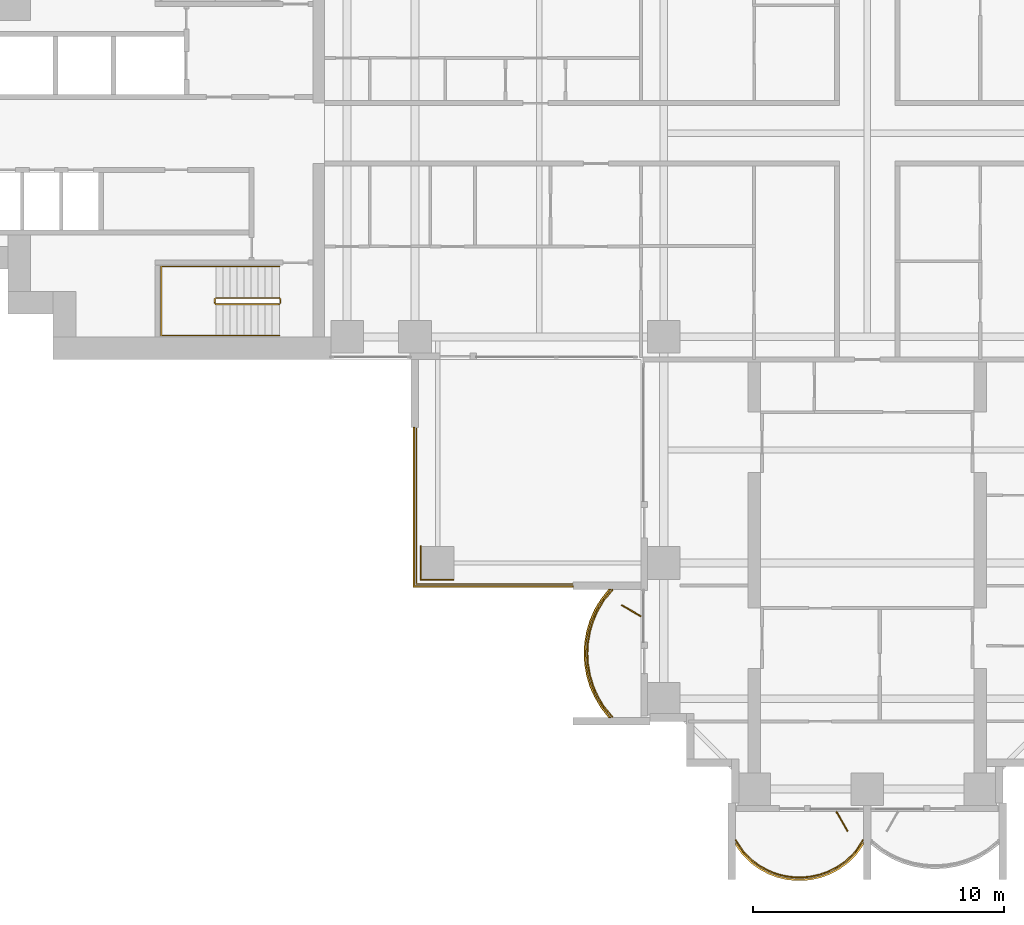
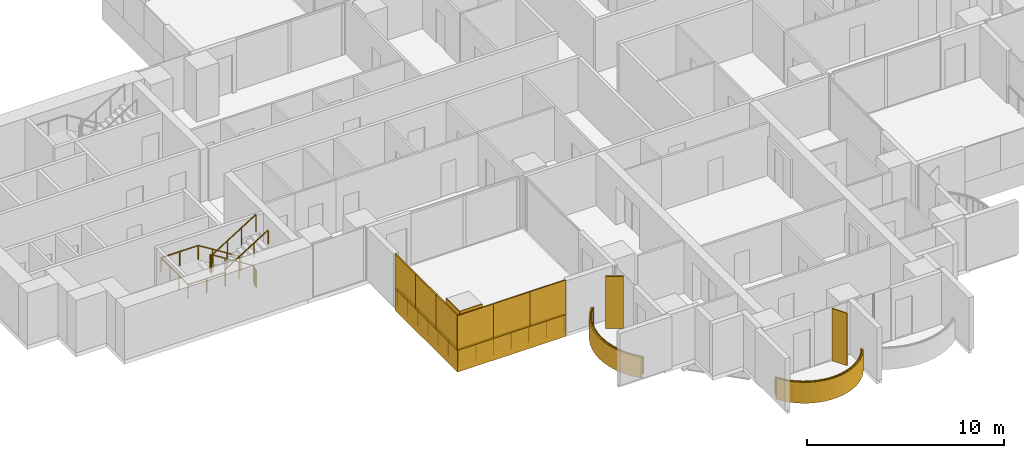
# One storey, part 17 of 21: 11 coverings, 5 railings, 2 shading devices.
"""IFC4 building model written with IfcOpenShell, lengths in metres."""

from ifc_helpers import new_model, si_unit, direction, frame, origin, origin_2d, place, context, subcontext, project, spatial, polyline, rectangle, outline, extrude, material, layer, layer_set, type_object, element, save


model = new_model("IFC4")

# Units and contexts
model_context = context("Model", 3, precision=1e-05, world=origin(), true_north=direction((0.0, 1.0)))
body_context = subcontext(model_context, "Body", "Model", "MODEL_VIEW")
ifc_project = project(units=[si_unit("LENGTHUNIT", "METRE"), si_unit("AREAUNIT", "SQUARE_METRE"), si_unit("VOLUMEUNIT", "CUBIC_METRE"), si_unit("PLANEANGLEUNIT", "RADIAN"), si_unit("MASSUNIT", "GRAM", prefix="KILO")], contexts=[model_context])

# Site, building, storey
site_placement = place(None, origin())
site = spatial("IfcSite", under=ifc_project, at=site_placement, CompositionType="ELEMENT")
building_placement = place(site_placement, origin())
building = spatial("IfcBuilding", under=site, at=building_placement, Name="Perihelion Cross Residences", CompositionType="ELEMENT")
storey_placement = place(building_placement, frame((0.0, 0.0, 47.0)))
storey = spatial("IfcBuildingStorey", under=building, at=storey_placement, Name="L08", CompositionType="ELEMENT", Elevation=47.0)

# Coverings
ifc_material_1 = material(Name="Bronze anodised aluminium", Category="aluminium")
ifc_layer_1 = layer(ifc_material_1, 0.070068359375)
ifc_layer_set_1 = layer_set([ifc_layer_1], Name="Balcony fascia 1300")
covering_type_1 = type_object("IfcCoveringType", Name="Balcony fascia 1300", PredefinedType="CLADDING", material=ifc_layer_set_1)
covering_1_placement = place(storey_placement, frame((0.0, 0.0, -0.199951171875)))
element("IfcCovering", 1, at=covering_1_placement, inside=storey, type_object=covering_type_1, Name="Fascia BF1 L08 south side west bay 2", PredefinedType="CLADDING", context=body_context, shape_type="SweptSolid", body=[
    extrude(outline(polyline([(-10.59765625, -18.53515625), (-10.85498046875, -18.96826171875), (-11.04248046875, -19.401123046875), (-11.170654296875, -19.833984375), (-11.245361328125, -20.26708984375), (-11.27001953125, -20.699951171875), (-11.245361328125, -21.133056640625), (-11.170654296875, -21.56591796875), (-11.04248046875, -21.998779296875), (-10.85498046875, -22.431884765625), (-10.59765625, -22.86474609375), (-10.28955078125, -23.25), (-10.199951171875, -23.25), (-10.5400390625, -22.824951171875), (-10.792724609375, -22.39990234375), (-10.9765625, -21.97509765625), (-11.1025390625, -21.550048828125), (-11.17578125, -21.125), (-11.199951171875, -20.699951171875), (-11.17578125, -20.27490234375), (-11.1025390625, -19.85009765625), (-10.9765625, -19.425048828125), (-10.792724609375, -19.0), (-10.5400390625, -18.574951171875), (-10.199951171875, -18.14990234375), (-10.28955078125, -18.14990234375), (-10.59765625, -18.53515625)])), origin(), (0.0, 0.0, 1.0), 1.300048828125),
])
covering_2_placement = place(storey_placement, frame((0.0, 0.0, -0.199951171875)))
element("IfcCovering", 2, at=covering_2_placement, inside=storey, type_object=covering_type_1, Name="Fascia BF1 L08 south tip south bay 1", PredefinedType="CLADDING", context=body_context, shape_type="SweptSolid", body=[
    extrude(outline(polyline([(-4.963134765625, -28.722412109375), (-4.61474609375, -29.060791015625), (-4.2666015625, -29.308837890625), (-3.91845703125, -29.4912109375), (-3.5703125, -29.620361328125), (-3.22216796875, -29.703369140625), (-2.8740234375, -29.743896484375), (-2.52587890625, -29.743896484375), (-2.177734375, -29.703369140625), (-1.82958984375, -29.620361328125), (-1.4814453125, -29.4912109375), (-1.13330078125, -29.308837890625), (-0.78515625, -29.060791015625), (-0.43701171875, -28.722412109375), (-0.14990234375, -28.320556640625), (-0.14990234375, -28.199951171875), (-0.489990234375, -28.6767578125), (-0.830078125, -29.007080078125), (-1.169921875, -29.2490234375), (-1.510009765625, -29.42724609375), (-1.85009765625, -29.553466796875), (-2.18994140625, -29.63427734375), (-2.530029296875, -29.674072265625), (-2.8701171875, -29.674072265625), (-3.2099609375, -29.63427734375), (-3.550048828125, -29.553466796875), (-3.889892578125, -29.42724609375), (-4.22998046875, -29.2490234375), (-4.570068359375, -29.007080078125), (-4.909912109375, -28.6767578125), (-5.25, -28.199951171875), (-5.25, -28.320556640625), (-4.963134765625, -28.722412109375)])), origin(), (0.0, 0.0, 1.0), 1.300048828125),
])

# Railings
ifc_material_2 = material(Name="Bronze anodised aluminium", Category="aluminium")
railing_type_1 = type_object("IfcRailingType", Name="Balcony guard 1100", PredefinedType="GUARDRAIL", material=ifc_material_2)
railing_1_placement = place(storey_placement, frame((-10.139892578125, -18.175048828125, 0.0)))
element("IfcRailing", 3, at=railing_1_placement, inside=storey, type_object=railing_type_1, Name="Guard GU1 L08 south side west bay 2 balcony", PredefinedType="GUARDRAIL", context=body_context, shape_type="SweptSolid", body=[
    extrude(rectangle(XDim=0.048095703125, YDim=0.048095703125, at=origin_2d()), frame((0.0, 0.0, 1.076171875), z_axis=(-0.647837396648, -0.761778647315, 0.0), x_axis=(0.761778647315, -0.647837396648, 0.0)), (0.0, 0.0, 1.0), 0.52490234375),
    extrude(rectangle(XDim=0.048095703125, YDim=0.048095703125, at=origin_2d()), frame((-0.340087890625, -0.39990234375, 1.076171875), z_axis=(-0.511006381501, -0.859576918062, 0.0), x_axis=(0.859576918062, -0.511006381501, 0.0)), (0.0, 0.0, 1.0), 0.494384765625),
    extrude(rectangle(XDim=0.048095703125, YDim=0.048095703125, at=origin_2d()), frame((-0.5927734375, -0.824951171875, 1.076171875), z_axis=(-0.397415137459, -0.917638931453, 0.0), x_axis=(0.917638931453, -0.397415137459, 0.0)), (0.0, 0.0, 1.0), 0.463134765625),
    extrude(rectangle(XDim=0.048095703125, YDim=0.048095703125, at=origin_2d()), frame((-0.77685546875, -1.25, 1.076171875), z_axis=(-0.283656975924, -0.958925815697, 0.0), x_axis=(0.958925815697, -0.283656975924, 0.0)), (0.0, 0.0, 1.0), 0.443359375),
    extrude(rectangle(XDim=0.048095703125, YDim=0.048095703125, at=origin_2d()), frame((-0.902587890625, -1.675048828125, 1.076171875), z_axis=(-0.170456843651, -0.985365142702, 0.0), x_axis=(0.985365142702, -0.170456843651, 0.0)), (0.0, 0.0, 1.0), 0.43115234375),
    extrude(rectangle(XDim=0.048095703125, YDim=0.048095703125, at=origin_2d()), frame((-0.97607421875, -2.099853515625, 1.076171875), z_axis=(-0.056200523353, -0.9984195016, 0.0), x_axis=(0.9984195016, -0.056200523353, 0.0)), (0.0, 0.0, 1.0), 0.42578125),
    extrude(rectangle(XDim=0.048095703125, YDim=0.048095703125, at=origin_2d()), frame((-1.0, -2.52490234375, 1.076171875), z_axis=(0.056200523353, -0.9984195016, 0.0), x_axis=(0.9984195016, 0.056200523353, 0.0)), (0.0, 0.0, 1.0), 0.42578125),
    extrude(rectangle(XDim=0.048095703125, YDim=0.048095703125, at=origin_2d()), frame((-0.97607421875, -2.949951171875, 1.076171875), z_axis=(0.17036177859, -0.985381583142, 0.0), x_axis=(0.985381583142, 0.17036177859, 0.0)), (0.0, 0.0, 1.0), 0.431396484375),
    extrude(rectangle(XDim=0.048095703125, YDim=0.048095703125, at=origin_2d()), frame((-0.902587890625, -3.375, 1.076171875), z_axis=(0.283656975924, -0.958925815697, 0.0), x_axis=(0.958925815697, 0.283656975924, 0.0)), (0.0, 0.0, 1.0), 0.443359375),
    extrude(rectangle(XDim=0.048095703125, YDim=0.048095703125, at=origin_2d()), frame((-0.77685546875, -3.800048828125, 1.076171875), z_axis=(0.397607437634, -0.91755562531, 0.0), x_axis=(0.91755562531, 0.397607437634, 0.0)), (0.0, 0.0, 1.0), 0.462890625),
    extrude(rectangle(XDim=0.048095703125, YDim=0.048095703125, at=origin_2d()), frame((-0.5927734375, -4.224853515625, 1.076171875), z_axis=(0.511006381501, -0.859576918062, 0.0), x_axis=(0.859576918062, 0.511006381501, 0.0)), (0.0, 0.0, 1.0), 0.494384765625),
    extrude(rectangle(XDim=0.048095703125, YDim=0.048095703125, at=origin_2d()), frame((-0.340087890625, -4.64990234375, 1.076171875), z_axis=(0.647607934281, -0.761973728849, 0.0), x_axis=(0.761973728849, 0.647607934281, 0.0)), (0.0, 0.0, 1.0), 0.525146484375),
    extrude(rectangle(XDim=0.0419921875, YDim=0.0419921875, at=origin_2d()), origin(), (0.0, 0.0, 1.0), 1.052001953125),
    extrude(rectangle(XDim=0.0419921875, YDim=0.0419921875, at=origin_2d()), frame((-0.340087890625, -0.39990234375, 0.0)), (0.0, 0.0, 1.0), 1.052001953125),
    extrude(rectangle(XDim=0.0419921875, YDim=0.0419921875, at=origin_2d()), frame((-0.5927734375, -0.824951171875, 0.0)), (0.0, 0.0, 1.0), 1.052001953125),
    extrude(rectangle(XDim=0.0419921875, YDim=0.0419921875, at=origin_2d()), frame((-0.77685546875, -1.25, 0.0)), (0.0, 0.0, 1.0), 1.052001953125),
    extrude(rectangle(XDim=0.0419921875, YDim=0.0419921875, at=origin_2d()), frame((-0.902587890625, -1.675048828125, 0.0)), (0.0, 0.0, 1.0), 1.052001953125),
    extrude(rectangle(XDim=0.0419921875, YDim=0.0419921875, at=origin_2d()), frame((-0.97607421875, -2.099853515625, 0.0)), (0.0, 0.0, 1.0), 1.052001953125),
    extrude(rectangle(XDim=0.0419921875, YDim=0.0419921875, at=origin_2d()), frame((-1.0, -2.52490234375, 0.0)), (0.0, 0.0, 1.0), 1.052001953125),
    extrude(rectangle(XDim=0.0419921875, YDim=0.0419921875, at=origin_2d()), frame((-0.97607421875, -2.949951171875, 0.0)), (0.0, 0.0, 1.0), 1.052001953125),
    extrude(rectangle(XDim=0.0419921875, YDim=0.0419921875, at=origin_2d()), frame((-0.902587890625, -3.375, 0.0)), (0.0, 0.0, 1.0), 1.052001953125),
    extrude(rectangle(XDim=0.0419921875, YDim=0.0419921875, at=origin_2d()), frame((-0.77685546875, -3.800048828125, 0.0)), (0.0, 0.0, 1.0), 1.052001953125),
    extrude(rectangle(XDim=0.0419921875, YDim=0.0419921875, at=origin_2d()), frame((-0.5927734375, -4.224853515625, 0.0)), (0.0, 0.0, 1.0), 1.052001953125),
    extrude(rectangle(XDim=0.0419921875, YDim=0.0419921875, at=origin_2d()), frame((-0.340087890625, -4.64990234375, 0.0)), (0.0, 0.0, 1.0), 1.052001953125),
    extrude(rectangle(XDim=0.0419921875, YDim=0.0419921875, at=origin_2d()), frame((0.0, -5.050048828125, 0.0)), (0.0, 0.0, 1.0), 1.052001953125),
])
railing_2_placement = place(storey_placement, frame((-5.22509765625, -28.139892578125, 0.0)))
element("IfcRailing", 4, at=railing_2_placement, inside=storey, type_object=railing_type_1, Name="Guard GU1 L08 south tip south bay 1 balcony", PredefinedType="GUARDRAIL", context=body_context, shape_type="SweptSolid", body=[
    extrude(rectangle(XDim=0.048095703125, YDim=0.048095703125, at=origin_2d()), frame((0.0, 0.0, 1.076171875), z_axis=(0.55144309028, -0.834212513801, 0.0), x_axis=(0.834212513801, 0.55144309028, 0.0)), (0.0, 0.0, 1.0), 0.571533203125),
    extrude(rectangle(XDim=0.048095703125, YDim=0.048095703125, at=origin_2d()), frame((0.315185546875, -0.476806640625, 1.076171875), z_axis=(0.717080736691, -0.696990112603, 0.0), x_axis=(0.696990112603, 0.717080736691, 0.0)), (0.0, 0.0, 1.0), 0.473876953125),
    extrude(rectangle(XDim=0.048095703125, YDim=0.048095703125, at=origin_2d()), frame((0.655029296875, -0.80712890625, 1.076171875), z_axis=(0.814562360662, -0.580075995532, 0.0), x_axis=(0.580075995532, 0.814562360662, 0.0)), (0.0, 0.0, 1.0), 0.41748046875),
    extrude(rectangle(XDim=0.048095703125, YDim=0.048095703125, at=origin_2d()), frame((0.9951171875, -1.04931640625, 1.076171875), z_axis=(0.886005761733, -0.463674228502, 0.0), x_axis=(0.463674228502, 0.886005761733, 0.0)), (0.0, 0.0, 1.0), 0.3837890625),
    extrude(rectangle(XDim=0.048095703125, YDim=0.048095703125, at=origin_2d()), frame((1.335205078125, -1.227294921875, 1.076171875), z_axis=(0.937431552165, -0.348169621027, 0.0), x_axis=(0.348169621027, 0.937431552165, 0.0)), (0.0, 0.0, 1.0), 0.362548828125),
    extrude(rectangle(XDim=0.048095703125, YDim=0.048095703125, at=origin_2d()), frame((1.675048828125, -1.353515625, 1.076171875), z_axis=(0.972753741142, -0.231840805498, 0.0), x_axis=(0.231840805498, 0.972753741142, 0.0)), (0.0, 0.0, 1.0), 0.349609375),
    extrude(rectangle(XDim=0.048095703125, YDim=0.048095703125, at=origin_2d()), frame((2.01513671875, -1.4345703125, 1.076171875), z_axis=(0.993295952156, -0.11559909788, 0.0), x_axis=(0.11559909788, 0.993295952156, 0.0)), (0.0, 0.0, 1.0), 0.342041015625),
    extrude(rectangle(XDim=0.048095703125, YDim=0.048095703125, at=origin_2d()), frame((2.35498046875, -1.47412109375, 1.076171875), z_axis=(1.0, 0.0, 0.0), x_axis=(0.0, 1.0, 0.0)), (0.0, 0.0, 1.0), 0.340087890625),
    extrude(rectangle(XDim=0.048095703125, YDim=0.048095703125, at=origin_2d()), frame((2.695068359375, -1.47412109375, 1.076171875), z_axis=(0.993305477634, 0.11551721994, 0.0), x_axis=(-0.11551721994, 0.993305477634, 0.0)), (0.0, 0.0, 1.0), 0.34228515625),
    extrude(rectangle(XDim=0.048095703125, YDim=0.048095703125, at=origin_2d()), frame((3.03515625, -1.4345703125, 1.076171875), z_axis=(0.972716168284, 0.231998396458, 0.0), x_axis=(-0.231998396458, 0.972716168284, 0.0)), (0.0, 0.0, 1.0), 0.349365234375),
    extrude(rectangle(XDim=0.048095703125, YDim=0.048095703125, at=origin_2d()), frame((3.375, -1.353515625, 1.076171875), z_axis=(0.93751311099, 0.347949948587, 0.0), x_axis=(-0.347949948587, 0.93751311099, 0.0)), (0.0, 0.0, 1.0), 0.36279296875),
    extrude(rectangle(XDim=0.048095703125, YDim=0.048095703125, at=origin_2d()), frame((3.715087890625, -1.227294921875, 1.076171875), z_axis=(0.886005761733, 0.463674228502, 0.0), x_axis=(-0.463674228502, 0.886005761733, 0.0)), (0.0, 0.0, 1.0), 0.3837890625),
    extrude(rectangle(XDim=0.048095703125, YDim=0.048095703125, at=origin_2d()), frame((4.05517578125, -1.04931640625, 1.076171875), z_axis=(0.814365457194, 0.580352394782, 0.0), x_axis=(-0.580352394782, 0.814365457194, 0.0)), (0.0, 0.0, 1.0), 0.417236328125),
    extrude(rectangle(XDim=0.048095703125, YDim=0.048095703125, at=origin_2d()), frame((4.39501953125, -0.80712890625, 1.076171875), z_axis=(0.717330852669, 0.69673269466, 0.0), x_axis=(-0.69673269466, 0.717330852669, 0.0)), (0.0, 0.0, 1.0), 0.47412109375),
    extrude(rectangle(XDim=0.048095703125, YDim=0.048095703125, at=origin_2d()), frame((4.735107421875, -0.476806640625, 1.076171875), z_axis=(0.551145731138, 0.834409002258, 0.0), x_axis=(-0.834409002258, 0.551145731138, 0.0)), (0.0, 0.0, 1.0), 0.571533203125),
    extrude(rectangle(XDim=0.0419921875, YDim=0.0419921875, at=origin_2d()), origin(), (0.0, 0.0, 1.0), 1.052001953125),
    extrude(rectangle(XDim=0.0419921875, YDim=0.0419921875, at=origin_2d()), frame((0.315185546875, -0.476806640625, 0.0)), (0.0, 0.0, 1.0), 1.052001953125),
    extrude(rectangle(XDim=0.0419921875, YDim=0.0419921875, at=origin_2d()), frame((0.655029296875, -0.80712890625, 0.0)), (0.0, 0.0, 1.0), 1.052001953125),
    extrude(rectangle(XDim=0.0419921875, YDim=0.0419921875, at=origin_2d()), frame((0.9951171875, -1.04931640625, 0.0)), (0.0, 0.0, 1.0), 1.052001953125),
    extrude(rectangle(XDim=0.0419921875, YDim=0.0419921875, at=origin_2d()), frame((1.335205078125, -1.227294921875, 0.0)), (0.0, 0.0, 1.0), 1.052001953125),
    extrude(rectangle(XDim=0.0419921875, YDim=0.0419921875, at=origin_2d()), frame((1.675048828125, -1.353515625, 0.0)), (0.0, 0.0, 1.0), 1.052001953125),
    extrude(rectangle(XDim=0.0419921875, YDim=0.0419921875, at=origin_2d()), frame((2.01513671875, -1.4345703125, 0.0)), (0.0, 0.0, 1.0), 1.052001953125),
    extrude(rectangle(XDim=0.0419921875, YDim=0.0419921875, at=origin_2d()), frame((2.35498046875, -1.47412109375, 0.0)), (0.0, 0.0, 1.0), 1.052001953125),
    extrude(rectangle(XDim=0.0419921875, YDim=0.0419921875, at=origin_2d()), frame((2.695068359375, -1.47412109375, 0.0)), (0.0, 0.0, 1.0), 1.052001953125),
    extrude(rectangle(XDim=0.0419921875, YDim=0.0419921875, at=origin_2d()), frame((3.03515625, -1.4345703125, 0.0)), (0.0, 0.0, 1.0), 1.052001953125),
    extrude(rectangle(XDim=0.0419921875, YDim=0.0419921875, at=origin_2d()), frame((3.375, -1.353515625, 0.0)), (0.0, 0.0, 1.0), 1.052001953125),
    extrude(rectangle(XDim=0.0419921875, YDim=0.0419921875, at=origin_2d()), frame((3.715087890625, -1.227294921875, 0.0)), (0.0, 0.0, 1.0), 1.052001953125),
    extrude(rectangle(XDim=0.0419921875, YDim=0.0419921875, at=origin_2d()), frame((4.05517578125, -1.04931640625, 0.0)), (0.0, 0.0, 1.0), 1.052001953125),
    extrude(rectangle(XDim=0.0419921875, YDim=0.0419921875, at=origin_2d()), frame((4.39501953125, -0.80712890625, 0.0)), (0.0, 0.0, 1.0), 1.052001953125),
    extrude(rectangle(XDim=0.0419921875, YDim=0.0419921875, at=origin_2d()), frame((4.735107421875, -0.476806640625, 0.0)), (0.0, 0.0, 1.0), 1.052001953125),
    extrude(rectangle(XDim=0.0419921875, YDim=0.0419921875, at=origin_2d()), frame((5.050048828125, 0.0, 0.0)), (0.0, 0.0, 1.0), 1.052001953125),
])
railing_3_placement = place(storey_placement, frame((-11.739990234375, -17.93994140625, 0.0)))
element("IfcRailing", 5, at=railing_3_placement, inside=storey, type_object=railing_type_1, Name="Guard GU1 L08 pocket south-west 1", PredefinedType="GUARDRAIL", context=body_context, shape_type="SweptSolid", body=[
    extrude(rectangle(XDim=0.048095703125, YDim=0.048095703125, at=origin_2d()), frame((0.0, 0.0, 1.076171875), z_axis=(-1.0, 0.0, 0.0), x_axis=(0.0, -1.0, 0.0)), (0.0, 0.0, 1.0), 6.199951171875),
    extrude(rectangle(XDim=0.048095703125, YDim=0.048095703125, at=origin_2d()), frame((-6.199951171875, 0.0, 1.076171875), z_axis=(0.0, 1.0, 0.0), x_axis=(-1.0, 0.0, 0.0)), (0.0, 0.0, 1.0), 6.199951171875),
    extrude(rectangle(XDim=0.0419921875, YDim=0.0419921875, at=origin_2d()), origin(), (0.0, 0.0, 1.0), 1.052001953125),
    extrude(rectangle(XDim=0.0419921875, YDim=0.0419921875, at=origin_2d()), frame((-1.033203125, 0.0, 0.0)), (0.0, 0.0, 1.0), 1.052001953125),
    extrude(rectangle(XDim=0.0419921875, YDim=0.0419921875, at=origin_2d()), frame((-2.066650390625, 0.0, 0.0)), (0.0, 0.0, 1.0), 1.052001953125),
    extrude(rectangle(XDim=0.0419921875, YDim=0.0419921875, at=origin_2d()), frame((-3.10009765625, 0.0, 0.0)), (0.0, 0.0, 1.0), 1.052001953125),
    extrude(rectangle(XDim=0.0419921875, YDim=0.0419921875, at=origin_2d()), frame((-4.13330078125, 0.0, 0.0)), (0.0, 0.0, 1.0), 1.052001953125),
    extrude(rectangle(XDim=0.0419921875, YDim=0.0419921875, at=origin_2d()), frame((-5.16650390625, 0.0, 0.0)), (0.0, 0.0, 1.0), 1.052001953125),
    extrude(rectangle(XDim=0.0419921875, YDim=0.0419921875, at=origin_2d()), frame((-6.199951171875, 0.0, 0.0)), (0.0, 0.0, 1.0), 1.052001953125),
    extrude(rectangle(XDim=0.0419921875, YDim=0.0419921875, at=origin_2d()), frame((-6.199951171875, 1.033203125, 0.0)), (0.0, 0.0, 1.0), 1.052001953125),
    extrude(rectangle(XDim=0.0419921875, YDim=0.0419921875, at=origin_2d()), frame((-6.199951171875, 2.066650390625, 0.0)), (0.0, 0.0, 1.0), 1.052001953125),
    extrude(rectangle(XDim=0.0419921875, YDim=0.0419921875, at=origin_2d()), frame((-6.199951171875, 3.10009765625, 0.0)), (0.0, 0.0, 1.0), 1.052001953125),
    extrude(rectangle(XDim=0.0419921875, YDim=0.0419921875, at=origin_2d()), frame((-6.199951171875, 4.13330078125, 0.0)), (0.0, 0.0, 1.0), 1.052001953125),
    extrude(rectangle(XDim=0.0419921875, YDim=0.0419921875, at=origin_2d()), frame((-6.199951171875, 5.16650390625, 0.0)), (0.0, 0.0, 1.0), 1.052001953125),
    extrude(rectangle(XDim=0.0419921875, YDim=0.0419921875, at=origin_2d()), frame((-6.199951171875, 6.199951171875, 0.0)), (0.0, 0.0, 1.0), 1.052001953125),
])

# Coverings
ifc_material_3 = material(Name="Bronze anodised aluminium", Category="aluminium")
ifc_layer_2 = layer(ifc_material_3, 0.0400390625)
ifc_layer_set_2 = layer_set([ifc_layer_2], Name="Bronze column casing 40")
covering_type_2 = type_object("IfcCoveringType", Name="Bronze column casing 40", PredefinedType="CLADDING", material=ifc_layer_set_2)
covering_3_placement = place(storey_placement, frame((-17.77001953125, -17.10009765625, -0.25), z_axis=(0.0, 0.0, 1.0), x_axis=(1.0, 0.0, 0.0)))
element("IfcCovering", 6, at=covering_3_placement, inside=storey, type_object=covering_type_2, Name="Cladding CC1 L08 casing east-west no. 1", PredefinedType="CLADDING", context=body_context, shape_type="SweptSolid", body=[
    extrude(rectangle(XDim=0.0400390625, YDim=1.3798828125, at=origin_2d()), origin(), (0.0, 0.0, 1.0), 3.5),
])
covering_4_placement = place(storey_placement, frame((-17.10009765625, -17.77001953125, -0.25), z_axis=(0.0, 0.0, 1.0), x_axis=(1.0, 0.0, 0.0)))
element("IfcCovering", 7, at=covering_4_placement, inside=storey, type_object=covering_type_2, Name="Cladding CC1 L08 casing north-south no. 1", PredefinedType="CLADDING", context=body_context, shape_type="SweptSolid", body=[
    extrude(rectangle(XDim=1.300048828125, YDim=0.0400390625, at=origin_2d()), origin(), (0.0, 0.0, 1.0), 3.5),
])

# Shading devices
ifc_material_4 = material(Name="Bronze anodised aluminium", Category="aluminium")
ifc_layer_3 = layer(ifc_material_4, 0.050048828125)
ifc_layer_set_3 = layer_set([ifc_layer_3], Name="Bronze fin 900")
shading_device_type = type_object("IfcShadingDeviceType", Name="Bronze fin 900", PredefinedType="USERDEFINED", material=ifc_layer_set_3)
for number, where, z_axis, x_axis, name in (
    (8, (-9.3896484375, -19.0, 0.0), (0.0, 0.0, 1.0), (-0.866025403784, 0.5, 0.0), "Fin FN1 L08 south side west bay 2"),
    (9, (-1.0, -27.3896484375, 0.0), (0.0, 0.0, 1.0), (0.5, -0.866025403784, 0.0), "Fin FN1 L08 south tip south bay 1"),
):
    element("IfcShadingDevice", number, at=place(storey_placement, frame(where, z_axis=z_axis, x_axis=x_axis)), inside=storey, type_object=shading_device_type, Name=name, ObjectType="FIN", PredefinedType="USERDEFINED", context=body_context, shape_type="SweptSolid", body=[
        extrude(rectangle(XDim=0.89990234375, YDim=0.050048828125, at=origin_2d()), origin(), (0.0, 0.0, 1.0), 3.25),
    ])

# Coverings
ifc_material_5 = material(Name="Bronze anodised aluminium", Category="aluminium")
ifc_layer_4 = layer(ifc_material_5, 0.070068359375)
ifc_layer_set_4 = layer_set([ifc_layer_4], Name="Pocket fascia 1350")
covering_type_3 = type_object("IfcCoveringType", Name="Pocket fascia 1350", PredefinedType="CLADDING", material=ifc_layer_set_4)
covering_5_placement = place(storey_placement, frame((0.0, 0.0, -0.25)))
element("IfcCovering", 10, at=covering_5_placement, inside=storey, type_object=covering_type_3, Name="Fascia BF2 L08 pocket south-west 1", PredefinedType="CLADDING", context=body_context, shape_type="SweptSolid", body=[
    extrude(outline(polyline([(-18.070068359375, -11.699951171875), (-18.070068359375, -18.070068359375), (-11.699951171875, -18.070068359375), (-11.699951171875, -18.0), (-18.0, -18.0), (-18.0, -11.699951171875), (-18.070068359375, -11.699951171875)])), origin(), (0.0, 0.0, 1.0), 1.35009765625),
])
ifc_material_6 = material(Name="Bronze perforated aluminium", Category="aluminium")
ifc_layer_5 = layer(ifc_material_6, 0.070068359375)
ifc_layer_set_5 = layer_set([ifc_layer_5], Name="Pocket solar screen, bronze perforated")
covering_type_4 = type_object("IfcCoveringType", Name="Pocket solar screen, bronze perforated", PredefinedType="CLADDING", material=ifc_layer_set_5)
covering_6_placement = place(storey_placement, frame((0.0, 0.0, 1.10009765625)))
element("IfcCovering", 11, at=covering_6_placement, inside=storey, type_object=covering_type_4, Name="Solar screen PS1 L08 pocket south-west no. 1", PredefinedType="CLADDING", context=body_context, shape_type="SweptSolid", body=[
    extrude(outline(polyline([(-18.0, -18.0), (-18.0, -15.89990234375), (-18.070068359375, -15.89990234375), (-18.070068359375, -18.0), (-18.0, -18.0)])), origin(), (0.0, 0.0, 1.0), 2.14990234375),
])
covering_7_placement = place(storey_placement, frame((0.0, 0.0, 1.10009765625)))
element("IfcCovering", 12, at=covering_7_placement, inside=storey, type_object=covering_type_4, Name="Solar screen PS1 L08 pocket south-west no. 2", PredefinedType="CLADDING", context=body_context, shape_type="SweptSolid", body=[
    extrude(outline(polyline([(-18.0, -15.89990234375), (-18.0, -13.800048828125), (-18.070068359375, -13.800048828125), (-18.070068359375, -15.89990234375), (-18.0, -15.89990234375)])), origin(), (0.0, 0.0, 1.0), 2.14990234375),
])
covering_8_placement = place(storey_placement, frame((0.0, 0.0, 1.10009765625)))
element("IfcCovering", 13, at=covering_8_placement, inside=storey, type_object=covering_type_4, Name="Solar screen PS1 L08 pocket south-west no. 3", PredefinedType="CLADDING", context=body_context, shape_type="SweptSolid", body=[
    extrude(outline(polyline([(-18.0, -13.800048828125), (-18.0, -11.699951171875), (-18.070068359375, -11.699951171875), (-18.070068359375, -13.800048828125), (-18.0, -13.800048828125)])), origin(), (0.0, 0.0, 1.0), 2.14990234375),
])
covering_9_placement = place(storey_placement, frame((0.0, 0.0, 1.10009765625)))
element("IfcCovering", 14, at=covering_9_placement, inside=storey, type_object=covering_type_4, Name="Solar screen PS1 L08 pocket south-west no. 4", PredefinedType="CLADDING", context=body_context, shape_type="SweptSolid", body=[
    extrude(outline(polyline([(-15.94677734375, -18.070068359375), (-15.94677734375, -18.0), (-18.070068359375, -18.0), (-18.070068359375, -18.070068359375), (-15.94677734375, -18.070068359375)])), origin(), (0.0, 0.0, 1.0), 2.14990234375),
])
covering_10_placement = place(storey_placement, frame((0.0, 0.0, 1.10009765625)))
element("IfcCovering", 15, at=covering_10_placement, inside=storey, type_object=covering_type_4, Name="Solar screen PS1 L08 pocket south-west no. 5", PredefinedType="CLADDING", context=body_context, shape_type="SweptSolid", body=[
    extrude(outline(polyline([(-13.8232421875, -18.070068359375), (-13.8232421875, -18.0), (-15.94677734375, -18.0), (-15.94677734375, -18.070068359375), (-13.8232421875, -18.070068359375)])), origin(), (0.0, 0.0, 1.0), 2.14990234375),
])
covering_11_placement = place(storey_placement, frame((0.0, 0.0, 1.10009765625)))
element("IfcCovering", 16, at=covering_11_placement, inside=storey, type_object=covering_type_4, Name="Solar screen PS1 L08 pocket south-west no. 6", PredefinedType="CLADDING", context=body_context, shape_type="SweptSolid", body=[
    extrude(outline(polyline([(-11.699951171875, -18.070068359375), (-11.699951171875, -18.0), (-13.8232421875, -18.0), (-13.8232421875, -18.070068359375), (-11.699951171875, -18.070068359375)])), origin(), (0.0, 0.0, 1.0), 2.14990234375),
])

# Railings
ifc_material_7 = material(Name="Stainless steel", Category="steel")
railing_type_2 = type_object("IfcRailingType", Name="Stair guard 1100", PredefinedType="GUARDRAIL", material=ifc_material_7)
railing_4_placement = place(storey_placement, frame((-23.35009765625, -6.75, 0.0)))
element("IfcRailing", 17, at=railing_4_placement, inside=storey, type_object=railing_type_2, Name="L08 ST-W2 stair guard 1", PredefinedType="GUARDRAIL", context=body_context, shape_type="SweptSolid", body=[
    extrude(rectangle(XDim=0.048095703125, YDim=0.048095703125, at=origin_2d()), frame((0.0, 0.0, 1.076171875), z_axis=(0.0, 1.0, 0.0), x_axis=(-1.0, 0.0, 0.0)), (0.0, 0.0, 1.0), 0.14990234375),
    extrude(rectangle(XDim=0.048095703125, YDim=0.048095703125, at=origin_2d()), frame((0.0, 0.14990234375, 1.076171875), z_axis=(-0.263862480399, 0.265155923931, 0.927399011991), x_axis=(-0.708833529934, -0.705375805398, 0.0)), (0.0, 0.0, 1.0), 0.188720703125),
    extrude(rectangle(XDim=0.048095703125, YDim=0.048095703125, at=origin_2d()), frame((-0.0498046875, 0.199951171875, 1.2509765625), z_axis=(-0.848007534815, 0.0, 0.529984170421), x_axis=(0.0, -1.0, 0.0)), (0.0, 0.0, 1.0), 2.9716796875),
    extrude(rectangle(XDim=0.048095703125, YDim=0.048095703125, at=origin_2d()), frame((-2.56982421875, 0.199951171875, 2.826171875), z_axis=(-0.707106781187, -0.707106781187, 0.0), x_axis=(0.707106781187, -0.707106781187, 0.0)), (0.0, 0.0, 1.0), 0.07080078125),
    extrude(rectangle(XDim=0.048095703125, YDim=0.048095703125, at=origin_2d()), frame((-2.619873046875, 0.14990234375, 2.826171875), z_axis=(0.0, -1.0, 0.0), x_axis=(1.0, 0.0, 0.0)), (0.0, 0.0, 1.0), 0.14990234375),
    extrude(rectangle(XDim=0.048095703125, YDim=0.048095703125, at=origin_2d()), frame((-2.619873046875, 0.0, 2.826171875), z_axis=(0.265065253269, -0.265065253269, 0.927081885822), x_axis=(0.707106781187, 0.707106781187, 0.0)), (0.0, 0.0, 1.0), 0.188720703125),
    extrude(rectangle(XDim=0.048095703125, YDim=0.048095703125, at=origin_2d()), frame((-2.56982421875, -0.050048828125, 3.0009765625), z_axis=(0.848007534815, 0.0, 0.529984170421), x_axis=(0.0, 1.0, 0.0)), (0.0, 0.0, 1.0), 2.9716796875),
    extrude(rectangle(XDim=0.0419921875, YDim=0.0419921875, at=origin_2d()), origin(), (0.0, 0.0, 1.0), 1.052001953125),
    extrude(rectangle(XDim=0.0419921875, YDim=0.0419921875, at=origin_2d()), frame((0.0, 0.14990234375, 0.0)), (0.0, 0.0, 1.0), 1.052001953125),
    extrude(rectangle(XDim=0.0419921875, YDim=0.0419921875, at=origin_2d()), frame((-0.0498046875, 0.199951171875, 0.175048828125)), (0.0, 0.0, 1.0), 1.052001953125),
    extrude(rectangle(XDim=0.0419921875, YDim=0.0419921875, at=origin_2d()), frame((-0.889892578125, 0.199951171875, 0.699951171875)), (0.0, 0.0, 1.0), 1.052001953125),
    extrude(rectangle(XDim=0.0419921875, YDim=0.0419921875, at=origin_2d()), frame((-1.729736328125, 0.199951171875, 1.22509765625)), (0.0, 0.0, 1.0), 1.052001953125),
    extrude(rectangle(XDim=0.0419921875, YDim=0.0419921875, at=origin_2d()), frame((-2.56982421875, 0.199951171875, 1.75)), (0.0, 0.0, 1.0), 1.052001953125),
    extrude(rectangle(XDim=0.0419921875, YDim=0.0419921875, at=origin_2d()), frame((-2.619873046875, 0.14990234375, 1.75)), (0.0, 0.0, 1.0), 1.052001953125),
    extrude(rectangle(XDim=0.0419921875, YDim=0.0419921875, at=origin_2d()), frame((-2.619873046875, 0.0, 1.75)), (0.0, 0.0, 1.0), 1.052001953125),
    extrude(rectangle(XDim=0.0419921875, YDim=0.0419921875, at=origin_2d()), frame((-2.56982421875, -0.050048828125, 1.925048828125)), (0.0, 0.0, 1.0), 1.052001953125),
    extrude(rectangle(XDim=0.0419921875, YDim=0.0419921875, at=origin_2d()), frame((-1.729736328125, -0.050048828125, 2.449951171875)), (0.0, 0.0, 1.0), 1.052001953125),
    extrude(rectangle(XDim=0.0419921875, YDim=0.0419921875, at=origin_2d()), frame((-0.889892578125, -0.050048828125, 2.97509765625)), (0.0, 0.0, 1.0), 1.052001953125),
    extrude(rectangle(XDim=0.0419921875, YDim=0.0419921875, at=origin_2d()), frame((-0.0498046875, -0.050048828125, 3.5)), (0.0, 0.0, 1.0), 1.052001953125),
])
ifc_material_8 = material(Name="Stainless steel", Category="steel")
railing_type_3 = type_object("IfcRailingType", Name="Stair handrail 900", PredefinedType="HANDRAIL", material=ifc_material_8)
railing_5_placement = place(storey_placement, frame((-23.39990234375, -5.300048828125, 0.175048828125)))
element("IfcRailing", 18, at=railing_5_placement, inside=storey, type_object=railing_type_3, Name="L08 ST-W2 stair handrail 1", PredefinedType="HANDRAIL", context=body_context, shape_type="SweptSolid", body=[
    extrude(rectangle(XDim=0.048095703125, YDim=0.048095703125, at=origin_2d()), frame((0.0, 0.0, 0.8759765625), z_axis=(-0.848007534815, 0.0, 0.529984170421), x_axis=(0.0, -1.0, 0.0)), (0.0, 0.0, 1.0), 2.9716796875),
    extrude(rectangle(XDim=0.048095703125, YDim=0.048095703125, at=origin_2d()), frame((-2.52001953125, 0.0, 2.45068359375), z_axis=(-1.0, 0.0, 0.0), x_axis=(0.0, -1.0, 0.0)), (0.0, 0.0, 1.0), 2.18017578125),
    extrude(rectangle(XDim=0.048095703125, YDim=0.048095703125, at=origin_2d()), frame((-4.7001953125, 0.0, 2.45068359375), z_axis=(0.0, -1.0, 0.0), x_axis=(1.0, 0.0, 0.0)), (0.0, 0.0, 1.0), 2.75),
    extrude(rectangle(XDim=0.048095703125, YDim=0.048095703125, at=origin_2d()), frame((-4.7001953125, -2.75, 2.45068359375), z_axis=(1.0, 0.0, 0.0), x_axis=(0.0, 1.0, 0.0)), (0.0, 0.0, 1.0), 2.18017578125),
    extrude(rectangle(XDim=0.048095703125, YDim=0.048095703125, at=origin_2d()), frame((-2.52001953125, -2.75, 2.45068359375), z_axis=(0.0, 0.0, 1.0), x_axis=(1.0, 0.0, 0.0)), (0.0, 0.0, 1.0), 0.175048828125),
    extrude(rectangle(XDim=0.048095703125, YDim=0.048095703125, at=origin_2d()), frame((-2.52001953125, -2.75, 2.6259765625), z_axis=(0.848007534815, 0.0, 0.529984170421), x_axis=(0.0, 1.0, 0.0)), (0.0, 0.0, 1.0), 2.9716796875),
    extrude(rectangle(XDim=0.0419921875, YDim=0.0419921875, at=origin_2d()), origin(), (0.0, 0.0, 1.0), 0.851806640625),
    extrude(rectangle(XDim=0.0419921875, YDim=0.0419921875, at=origin_2d()), frame((-0.840087890625, 0.0, 0.52490234375)), (0.0, 0.0, 1.0), 0.851806640625),
    extrude(rectangle(XDim=0.0419921875, YDim=0.0419921875, at=origin_2d()), frame((-1.679931640625, 0.0, 1.050048828125)), (0.0, 0.0, 1.0), 0.851806640625),
    extrude(rectangle(XDim=0.0419921875, YDim=0.0419921875, at=origin_2d()), frame((-2.52001953125, 0.0, 1.574951171875)), (0.0, 0.0, 1.0), 0.851806640625),
    extrude(rectangle(XDim=0.0419921875, YDim=0.0419921875, at=origin_2d()), frame((-3.610107421875, 0.0, 1.574951171875)), (0.0, 0.0, 1.0), 0.851806640625),
    extrude(rectangle(XDim=0.0419921875, YDim=0.0419921875, at=origin_2d()), frame((-4.7001953125, 0.0, 1.574951171875)), (0.0, 0.0, 1.0), 0.851806640625),
    extrude(rectangle(XDim=0.0419921875, YDim=0.0419921875, at=origin_2d()), frame((-4.7001953125, -0.916748046875, 1.574951171875)), (0.0, 0.0, 1.0), 0.851806640625),
    extrude(rectangle(XDim=0.0419921875, YDim=0.0419921875, at=origin_2d()), frame((-4.7001953125, -1.833251953125, 1.574951171875)), (0.0, 0.0, 1.0), 0.851806640625),
    extrude(rectangle(XDim=0.0419921875, YDim=0.0419921875, at=origin_2d()), frame((-4.7001953125, -2.75, 1.574951171875)), (0.0, 0.0, 1.0), 0.851806640625),
    extrude(rectangle(XDim=0.0419921875, YDim=0.0419921875, at=origin_2d()), frame((-3.610107421875, -2.75, 1.574951171875)), (0.0, 0.0, 1.0), 0.851806640625),
    extrude(rectangle(XDim=0.0419921875, YDim=0.0419921875, at=origin_2d()), frame((-2.52001953125, -2.75, 1.574951171875)), (0.0, 0.0, 1.0), 0.851806640625),
    extrude(rectangle(XDim=0.0419921875, YDim=0.0419921875, at=origin_2d()), frame((-2.52001953125, -2.75, 1.75)), (0.0, 0.0, 1.0), 0.851806640625),
    extrude(rectangle(XDim=0.0419921875, YDim=0.0419921875, at=origin_2d()), frame((-1.679931640625, -2.75, 2.27490234375)), (0.0, 0.0, 1.0), 0.851806640625),
    extrude(rectangle(XDim=0.0419921875, YDim=0.0419921875, at=origin_2d()), frame((-0.840087890625, -2.75, 2.800048828125)), (0.0, 0.0, 1.0), 0.851806640625),
    extrude(rectangle(XDim=0.0419921875, YDim=0.0419921875, at=origin_2d()), frame((0.0, -2.75, 3.324951171875)), (0.0, 0.0, 1.0), 0.851806640625),
])

save(model, "model.ifc")
